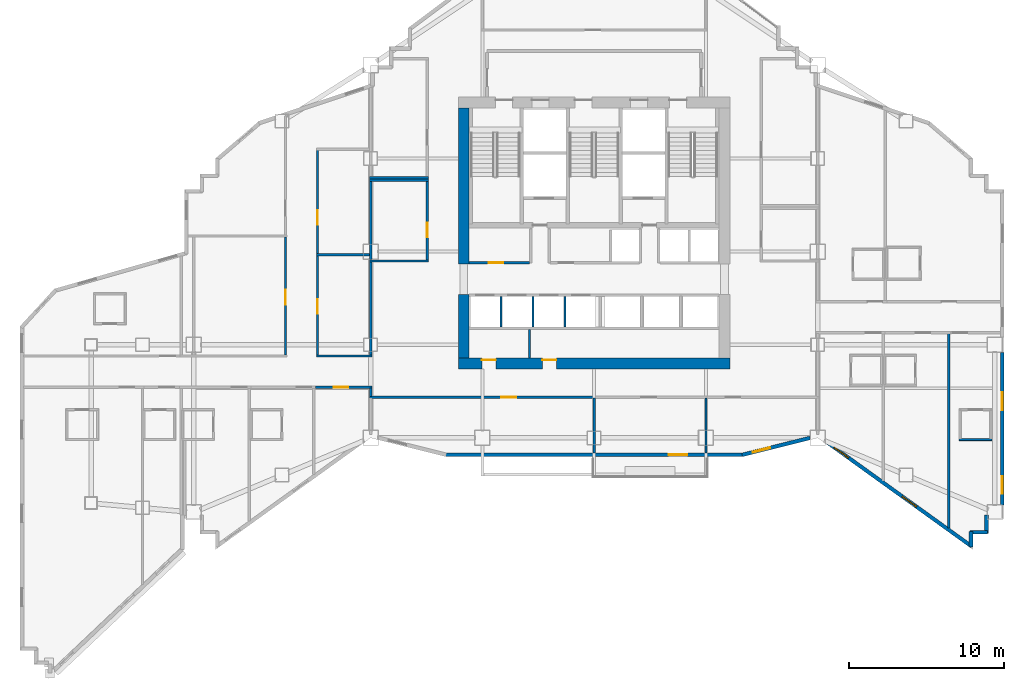
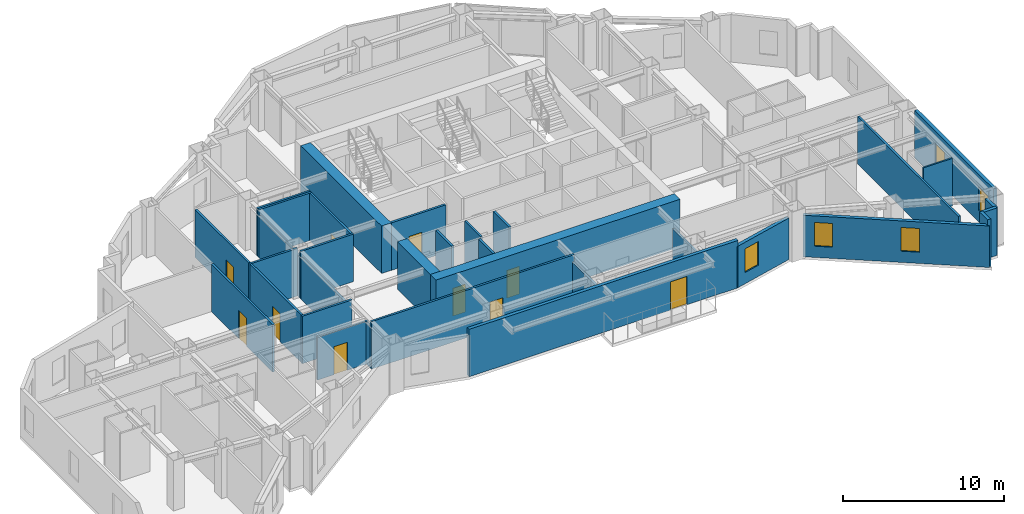
# One storey, part 7 of 13: 33 walls, 10 doors, 5 windows, 15 openings.
"""IFC4 building model written with IfcOpenShell, lengths in metres."""

from ifc_helpers import new_model, si_unit, direction, frame, frame_2d, origin, place, context, subcontext, project, spatial, rectangle, extrude, material, layer, layer_set, type_object, element, fill, save


model = new_model("IFC4")

# Units and contexts
model_context = context("Model", 3, precision=1e-05, world=origin(), true_north=direction((0.0, 1.0)))
body_context = subcontext(model_context, "Body", "Model", "MODEL_VIEW")
ifc_project = project(units=[si_unit("LENGTHUNIT", "METRE"), si_unit("AREAUNIT", "SQUARE_METRE"), si_unit("VOLUMEUNIT", "CUBIC_METRE"), si_unit("PLANEANGLEUNIT", "RADIAN"), si_unit("MASSUNIT", "GRAM", prefix="KILO")], contexts=[model_context])

# Site, building, storey
site_placement = place(None, origin())
site = spatial("IfcSite", under=ifc_project, at=site_placement, CompositionType="ELEMENT")
building_placement = place(site_placement, origin())
building = spatial("IfcBuilding", under=site, at=building_placement, Name="Haolan Belvedere Tower", CompositionType="ELEMENT")
storey_placement = place(building_placement, frame((0.0, 0.0, 128.800048828125)))
storey = spatial("IfcBuildingStorey", under=building, at=storey_placement, Name="L32", CompositionType="ELEMENT", Elevation=128.800048828125)

# Wall, openings, doors
ifc_material_1 = material(Name="Concrete C60/75", Category="concrete")
ifc_layer_1 = layer(ifc_material_1, 0.699951171875, Name="Concrete C60/75")
ifc_layer_set_1 = layer_set([ifc_layer_1], Name="Concrete C60/75")
wall_type_1 = type_object("IfcWallType", Name="WL-CORE-700", PredefinedType="SHEAR", material=ifc_layer_set_1)
wall_1_placement = place(storey_placement, frame((29.64990234375, 26.39990234375, 0.0), z_axis=(0.0, 0.0, 1.0), x_axis=(1.0, 0.0, 0.0)))
wall_1 = element("IfcWall", 1, at=wall_1_placement, inside=storey, type_object=wall_type_1, Name="L32 central core south shear wall", PredefinedType="SHEAR", context=body_context, shape_type="SweptSolid", body=[
    extrude(rectangle(XDim=17.5, YDim=0.699951171875, at=frame_2d((8.75, 0.0))), origin(), (0.0, 0.0, 1.0), 3.599853515625),
])
opening_1_placement = place(wall_1_placement, frame((2.419921875, 0.0, 0.0), z_axis=(0.0, 0.0, 1.0), x_axis=(-1.0, 0.0, 0.0)))
opening_1 = element("IfcOpeningElement", 2, at=opening_1_placement, cuts=wall_1, Name="Opening FD-05", PredefinedType="OPENING", context=body_context, shape_type="SweptSolid", body=[
    extrude(rectangle(XDim=0.89990234375, YDim=2.10009765625, at=frame_2d((0.449951171875, 1.050048828125))), frame((0.0, 0.35986328125, 0.0), z_axis=(0.0, -1.0, 0.0), x_axis=(1.0, 0.0, 0.0)), (0.0, 0.0, 1.0), 0.719970703125),
])
opening_2_placement = place(wall_1_placement, frame((6.309814453125, 0.0, 0.0), z_axis=(0.0, 0.0, 1.0), x_axis=(-1.0, 0.0, 0.0)))
opening_2 = element("IfcOpeningElement", 3, at=opening_2_placement, cuts=wall_1, Name="Opening FD-05", PredefinedType="OPENING", context=body_context, shape_type="SweptSolid", body=[
    extrude(rectangle(XDim=0.89990234375, YDim=2.10009765625, at=frame_2d((0.449951171875, 1.050048828125))), frame((0.0, 0.35986328125, 0.0), z_axis=(0.0, -1.0, 0.0), x_axis=(1.0, 0.0, 0.0)), (0.0, 0.0, 1.0), 0.719970703125),
])
ifc_material_2 = material(Name="Galvanised fire-rated steel", Category="steel")
door_type_1 = type_object("IfcDoorType", Name="DR-FD60-900", OperationType="NOTDEFINED", PredefinedType="DOOR", material=ifc_material_2)
door_1_placement = place(opening_1_placement, origin())
door_1 = element("IfcDoor", 4, at=door_1_placement, inside=storey, type_object=door_type_1, Name="L32 door CD-L32-SCV-1", OperationType="SINGLE_SWING_LEFT", OverallHeight=2.10009765625, OverallWidth=0.89990234375, PredefinedType="DOOR", context=body_context, shape_type="SweptSolid", body=[
    extrude(rectangle(XDim=0.89990234375, YDim=2.10009765625, at=frame_2d((0.449951171875, 1.050048828125))), frame((0.0, -0.19482421875, 0.0), z_axis=(0.0, -1.0, 0.0), x_axis=(1.0, 0.0, 0.0)), (0.0, 0.0, 1.0), 0.050048828125),
])
fill(opening_1, door_1)
door_2_placement = place(opening_2_placement, origin())
door_2 = element("IfcDoor", 5, at=door_2_placement, inside=storey, type_object=door_type_1, Name="L32 door CD-L32-SCV-2", OperationType="SINGLE_SWING_RIGHT", OverallHeight=2.10009765625, OverallWidth=0.89990234375, PredefinedType="DOOR", context=body_context, shape_type="SweptSolid", body=[
    extrude(rectangle(XDim=0.89990234375, YDim=2.10009765625, at=frame_2d((0.449951171875, 1.050048828125))), frame((0.0, -0.19482421875, 0.0), z_axis=(0.0, -1.0, 0.0), x_axis=(1.0, 0.0, 0.0)), (0.0, 0.0, 1.0), 0.050048828125),
])
fill(opening_2, door_2)

# Walls
wall_2_placement = place(storey_placement, frame((30.0, 26.75, 0.0), z_axis=(0.0, 0.0, 1.0), x_axis=(0.0, 1.0, 0.0)))
element("IfcWall", 6, at=wall_2_placement, inside=storey, type_object=wall_type_1, Name="L32 central core shear wall WS", PredefinedType="SHEAR", context=body_context, shape_type="SweptSolid", body=[
    extrude(rectangle(XDim=4.10009765625, YDim=0.699951171875, at=frame_2d((2.050048828125, 0.0))), origin(), (0.0, 0.0, 1.0), 3.599853515625),
])
wall_3_placement = place(storey_placement, frame((30.0, 32.800048828125, 0.0), z_axis=(0.0, 0.0, 1.0), x_axis=(0.0, 1.0, 0.0)))
element("IfcWall", 7, at=wall_3_placement, inside=storey, type_object=wall_type_1, Name="L32 central core shear wall WN", PredefinedType="SHEAR", context=body_context, shape_type="SweptSolid", body=[
    extrude(rectangle(XDim=10.050048828125, YDim=0.699951171875, at=frame_2d((5.02490234375, 0.0))), origin(), (0.0, 0.0, 1.0), 3.599853515625),
])

# Wall, opening, door
ifc_material_3 = material(Name="Precast concrete C40/50", Category="concrete")
ifc_layer_2 = layer(ifc_material_3, 0.239990234375, Name="Precast concrete C40/50")
ifc_layer_set_2 = layer_set([ifc_layer_2], Name="Precast concrete C40/50")
wall_type_2 = type_object("IfcWallType", Name="WL-EXT-240", PredefinedType="SOLIDWALL", material=ifc_layer_set_2)
wall_4_placement = place(storey_placement, frame((28.759765625, 20.52001953125, 0.0), z_axis=(0.0, 0.0, 1.0), x_axis=(1.0, 0.0, 0.0)))
wall_4 = element("IfcWall", 8, at=wall_4_placement, inside=storey, type_object=wall_type_2, Name="L32 pale-metal exterior spandrel wall 7.1", PredefinedType="SOLIDWALL", context=body_context, shape_type="SweptSolid", body=[
    extrude(rectangle(XDim=19.280517578125, YDim=0.239990234375, at=frame_2d((9.64013671875, 0.0))), origin(), (0.0, 0.0, 1.0), 3.599853515625),
])
opening_3_placement = place(wall_4_placement, frame((15.64013671875, 0.0, 0.0), z_axis=(0.0, 0.0, 1.0), x_axis=(-1.0, 0.0, 0.0)))
opening_3 = element("IfcOpeningElement", 9, at=opening_3_placement, cuts=wall_4, Name="Opening BD-01", PredefinedType="OPENING", context=body_context, shape_type="SweptSolid", body=[
    extrude(rectangle(XDim=1.199951171875, YDim=2.14990234375, at=frame_2d((0.60009765625, 1.074951171875))), frame((0.0, 0.1298828125, 0.0), z_axis=(0.0, -1.0, 0.0), x_axis=(1.0, 0.0, 0.0)), (0.0, 0.0, 1.0), 0.260009765625),
])
ifc_material_4 = material(Name="Thermally broken pale-metal aluminium and Low-E glass", Category="aluminium")
door_type_2 = type_object("IfcDoorType", Name="DR-BAL-1200", OperationType="NOTDEFINED", PredefinedType="DOOR", material=ifc_material_4)
door_3_placement = place(opening_3_placement, origin())
door_3 = element("IfcDoor", 10, at=door_3_placement, inside=storey, type_object=door_type_2, Name="L32 tree-balcony access door 1", OperationType="SINGLE_SWING_RIGHT", OverallHeight=2.14990234375, OverallWidth=1.199951171875, PredefinedType="DOOR", context=body_context, shape_type="SweptSolid", body=[
    extrude(rectangle(XDim=1.199951171875, YDim=2.14990234375, at=frame_2d((0.60009765625, 1.074951171875))), frame((0.0, 0.02490234375, 0.0), z_axis=(0.0, -1.0, 0.0), x_axis=(1.0, 0.0, 0.0)), (0.0, 0.0, 1.0), 0.050048828125),
])
fill(opening_3, door_3)

# Wall, opening, window
wall_5_placement = place(storey_placement, frame((47.931884765625, 20.506591796875, 0.0), z_axis=(0.0, 0.0, 1.0), x_axis=(0.970145683738, 0.242522890311, 0.0)))
wall_5 = element("IfcWall", 11, at=wall_5_placement, inside=storey, type_object=wall_type_2, Name="L32 pale-metal exterior spandrel wall 8.1", PredefinedType="SOLIDWALL", context=body_context, shape_type="SweptSolid", body=[
    extrude(rectangle(XDim=4.510986328125, YDim=0.239990234375, at=frame_2d((2.25537109375, 0.0))), origin(), (0.0, 0.0, 1.0), 3.14501953125),
])
opening_4_placement = place(wall_5_placement, frame((0.699951171875, 0.0, 0.85009765625)))
opening_4 = element("IfcOpeningElement", 12, at=opening_4_placement, cuts=wall_5, Name="Opening W-02", PredefinedType="OPENING", context=body_context, shape_type="SweptSolid", body=[
    extrude(rectangle(XDim=1.14990234375, YDim=1.800048828125, at=frame_2d((0.574951171875, 0.89990234375))), frame((0.0, 0.1298828125, 0.0), z_axis=(0.0, -1.0, 0.0), x_axis=(1.0, 0.0, 0.0)), (0.0, 0.0, 1.0), 0.260009765625),
])
ifc_material_5 = material(Name="Anodised aluminium 6063-T6 and Low-E glass", Category="aluminium")
window_type = type_object("IfcWindowType", Name="WN-DECO-Z2", PartitioningType="SINGLE_PANEL", PredefinedType="WINDOW", material=ifc_material_5)
window_1_placement = place(opening_4_placement, origin())
window_1 = element("IfcWindow", 13, at=window_1_placement, inside=storey, type_object=window_type, Name="L32 Art Deco chevron window 1", OverallHeight=1.800048828125, OverallWidth=1.14990234375, PartitioningType="SINGLE_PANEL", PredefinedType="WINDOW", context=body_context, shape_type="SweptSolid", body=[
    extrude(rectangle(XDim=1.14990234375, YDim=1.800048828125, at=frame_2d((0.574951171875, 0.89990234375))), frame((0.0, 0.030029296875, 0.0), z_axis=(0.0, -1.0, 0.0), x_axis=(1.0, 0.0, 0.0)), (0.0, 0.0, 1.0), 0.06005859375),
])
fill(opening_4, window_1)

# Wall, openings, windows
wall_6_placement = place(storey_placement, frame((53.2919921875, 21.3935546875, 0.0), z_axis=(0.0, 0.0, 1.0), x_axis=(0.811543504691, -0.584291998913, 0.0)))
wall_6 = element("IfcWall", 14, at=wall_6_placement, inside=storey, type_object=wall_type_2, Name="L32 pale-metal exterior spandrel wall 9.1", PredefinedType="SOLIDWALL", context=body_context, shape_type="SweptSolid", body=[
    extrude(rectangle(XDim=11.623046875, YDim=0.239990234375, at=frame_2d((5.8115234375, 0.0))), origin(), (0.0, 0.0, 1.0), 3.14501953125),
])
opening_5_placement = place(wall_6_placement, frame((0.699951171875, 0.0, 0.85009765625)))
opening_5 = element("IfcOpeningElement", 15, at=opening_5_placement, cuts=wall_6, Name="Opening W-02", PredefinedType="OPENING", context=body_context, shape_type="SweptSolid", body=[
    extrude(rectangle(XDim=1.14990234375, YDim=1.800048828125, at=frame_2d((0.574951171875, 0.89990234375))), frame((0.0, 0.1298828125, 0.0), z_axis=(0.0, -1.0, 0.0), x_axis=(1.0, 0.0, 0.0)), (0.0, 0.0, 1.0), 0.260009765625),
])
opening_6_placement = place(wall_6_placement, frame((6.10009765625, 0.0, 0.85009765625)))
opening_6 = element("IfcOpeningElement", 16, at=opening_6_placement, cuts=wall_6, Name="Opening W-02", PredefinedType="OPENING", context=body_context, shape_type="SweptSolid", body=[
    extrude(rectangle(XDim=1.14990234375, YDim=1.800048828125, at=frame_2d((0.574951171875, 0.89990234375))), frame((0.0, 0.1298828125, 0.0), z_axis=(0.0, -1.0, 0.0), x_axis=(1.0, 0.0, 0.0)), (0.0, 0.0, 1.0), 0.260009765625),
])
window_2_placement = place(opening_5_placement, origin())
window_2 = element("IfcWindow", 17, at=window_2_placement, inside=storey, type_object=window_type, Name="L32 Art Deco chevron window 1", OverallHeight=1.800048828125, OverallWidth=1.14990234375, PartitioningType="SINGLE_PANEL", PredefinedType="WINDOW", context=body_context, shape_type="SweptSolid", body=[
    extrude(rectangle(XDim=1.14990234375, YDim=1.800048828125, at=frame_2d((0.574951171875, 0.89990234375))), frame((0.0, 0.030029296875, 0.0), z_axis=(0.0, -1.0, 0.0), x_axis=(1.0, 0.0, 0.0)), (0.0, 0.0, 1.0), 0.06005859375),
])
fill(opening_5, window_2)
window_3_placement = place(opening_6_placement, origin())
window_3 = element("IfcWindow", 18, at=window_3_placement, inside=storey, type_object=window_type, Name="L32 Art Deco chevron window 2", OverallHeight=1.800048828125, OverallWidth=1.14990234375, PartitioningType="SINGLE_PANEL", PredefinedType="WINDOW", context=body_context, shape_type="SweptSolid", body=[
    extrude(rectangle(XDim=1.14990234375, YDim=1.800048828125, at=frame_2d((0.574951171875, 0.89990234375))), frame((0.0, 0.030029296875, 0.0), z_axis=(0.0, -1.0, 0.0), x_axis=(1.0, 0.0, 0.0)), (0.0, 0.0, 1.0), 0.06005859375),
])
fill(opening_6, window_3)

# Walls
wall_7_placement = place(storey_placement, frame((62.679931640625, 14.579345703125, 0.0), z_axis=(0.0, 0.0, 1.0), x_axis=(0.0, 1.0, 0.0)))
element("IfcWall", 19, at=wall_7_placement, inside=storey, type_object=wall_type_2, Name="L32 pale-metal exterior spandrel wall 10.1", PredefinedType="SOLIDWALL", context=body_context, shape_type="SweptSolid", body=[
    extrude(rectangle(XDim=0.99560546875, YDim=0.239990234375, at=frame_2d((0.497802734375, 0.0))), origin(), (0.0, 0.0, 1.0), 3.599853515625),
])
wall_8_placement = place(storey_placement, frame((62.625, 15.52001953125, 0.0), z_axis=(0.0, 0.0, 1.0), x_axis=(1.0, 0.0, 0.0)))
element("IfcWall", 20, at=wall_8_placement, inside=storey, type_object=wall_type_2, Name="L32 pale-metal exterior spandrel wall 11.1", PredefinedType="SOLIDWALL", context=body_context, shape_type="SweptSolid", body=[
    extrude(rectangle(XDim=1.110107421875, YDim=0.239990234375, at=frame_2d((0.55517578125, 0.0))), origin(), (0.0, 0.0, 1.0), 3.599853515625),
])
wall_9_placement = place(storey_placement, frame((63.679931640625, 15.465087890625, 0.0), z_axis=(0.0, 0.0, 1.0), x_axis=(0.0, 1.0, 0.0)))
element("IfcWall", 21, at=wall_9_placement, inside=storey, type_object=wall_type_2, Name="L32 pale-metal exterior spandrel wall 12.1", PredefinedType="SOLIDWALL", context=body_context, shape_type="SweptSolid", body=[
    extrude(rectangle(XDim=1.1748046875, YDim=0.239990234375, at=frame_2d((0.58740234375, 0.0))), origin(), (0.0, 0.0, 1.0), 3.599853515625),
])

# Wall, openings, windows
wall_10_placement = place(storey_placement, frame((64.679931640625, 17.2919921875, 0.0), z_axis=(0.0, 0.0, 1.0), x_axis=(0.0, 1.0, 0.0)))
wall_10 = element("IfcWall", 22, at=wall_10_placement, inside=storey, type_object=wall_type_2, Name="L32 pale-metal exterior spandrel wall 14.1", PredefinedType="SOLIDWALL", context=body_context, shape_type="SweptSolid", body=[
    extrude(rectangle(XDim=9.81591796875, YDim=0.239990234375, at=frame_2d((4.907958984375, 0.0))), origin(), (0.0, 0.0, 1.0), 3.599853515625),
])
opening_7_placement = place(wall_10_placement, frame((0.699951171875, 0.0, 0.85009765625)))
opening_7 = element("IfcOpeningElement", 23, at=opening_7_placement, cuts=wall_10, Name="Opening W-02", PredefinedType="OPENING", context=body_context, shape_type="SweptSolid", body=[
    extrude(rectangle(XDim=1.14990234375, YDim=1.800048828125, at=frame_2d((0.574951171875, 0.89990234375))), frame((0.0, 0.1298828125, 0.0), z_axis=(0.0, -1.0, 0.0), x_axis=(1.0, 0.0, 0.0)), (0.0, 0.0, 1.0), 0.260009765625),
])
opening_8_placement = place(wall_10_placement, frame((6.10009765625, 0.0, 0.85009765625)))
opening_8 = element("IfcOpeningElement", 24, at=opening_8_placement, cuts=wall_10, Name="Opening W-02", PredefinedType="OPENING", context=body_context, shape_type="SweptSolid", body=[
    extrude(rectangle(XDim=1.14990234375, YDim=1.800048828125, at=frame_2d((0.574951171875, 0.89990234375))), frame((0.0, 0.1298828125, 0.0), z_axis=(0.0, -1.0, 0.0), x_axis=(1.0, 0.0, 0.0)), (0.0, 0.0, 1.0), 0.260009765625),
])
window_4_placement = place(opening_7_placement, origin())
window_4 = element("IfcWindow", 25, at=window_4_placement, inside=storey, type_object=window_type, Name="L32 Art Deco chevron window 1", OverallHeight=1.800048828125, OverallWidth=1.14990234375, PartitioningType="SINGLE_PANEL", PredefinedType="WINDOW", context=body_context, shape_type="SweptSolid", body=[
    extrude(rectangle(XDim=1.14990234375, YDim=1.800048828125, at=frame_2d((0.574951171875, 0.89990234375))), frame((0.0, 0.030029296875, 0.0), z_axis=(0.0, -1.0, 0.0), x_axis=(1.0, 0.0, 0.0)), (0.0, 0.0, 1.0), 0.06005859375),
])
fill(opening_7, window_4)
window_5_placement = place(opening_8_placement, origin())
window_5 = element("IfcWindow", 26, at=window_5_placement, inside=storey, type_object=window_type, Name="L32 Art Deco chevron window 2", OverallHeight=1.800048828125, OverallWidth=1.14990234375, PartitioningType="SINGLE_PANEL", PredefinedType="WINDOW", context=body_context, shape_type="SweptSolid", body=[
    extrude(rectangle(XDim=1.14990234375, YDim=1.800048828125, at=frame_2d((0.574951171875, 0.89990234375))), frame((0.0, 0.030029296875, 0.0), z_axis=(0.0, -1.0, 0.0), x_axis=(1.0, 0.0, 0.0)), (0.0, 0.0, 1.0), 0.06005859375),
])
fill(opening_8, window_5)

# Walls
ifc_material_6 = material(Name="Double gypsum acoustic stud partition", Category="masonry")
ifc_layer_3 = layer(ifc_material_6, 0.14990234375, Name="Double gypsum acoustic stud partition")
ifc_layer_set_3 = layer_set([ifc_layer_3], Name="Double gypsum acoustic stud partition")
wall_type_3 = type_object("IfcWallType", Name="WL-PART-150", PredefinedType="PARTITIONING", material=ifc_layer_set_3)
wall_11_placement = place(storey_placement, frame((34.22998046875, 26.760009765625, 0.0), z_axis=(0.0, 0.0, 1.0), x_axis=(0.0, 1.0, 0.0)))
element("IfcWall", 27, at=wall_11_placement, inside=storey, type_object=wall_type_3, Name="L32 interior partition IW-L32-SCV-DIV-1", PredefinedType="PARTITIONING", context=body_context, shape_type="SweptSolid", body=[
    extrude(rectangle(XDim=1.820068359375, YDim=0.14990234375, at=frame_2d((0.91015625, 0.0))), origin(), (0.0, 0.0, 1.0), 3.599853515625),
])
for number, where, z_axis, x_axis, name in (
    (28, (23.919921875, 38.199951171875, 0.0), (0.0, 0.0, 1.0), (1.0, 0.0, 0.0), "L32 interior partition IW-L32-HSK-N"),
    (29, (23.919921875, 33.0, 0.0), (0.0, 0.0, 1.0), (1.0, 0.0, 0.0), "L32 interior partition IW-L32-HSK-S"),
):
    element("IfcWall", number, at=place(storey_placement, frame(where, z_axis=z_axis, x_axis=x_axis)), inside=storey, type_object=wall_type_3, Name=name, PredefinedType="PARTITIONING", context=body_context, shape_type="SweptSolid", body=[
        extrude(rectangle(XDim=3.800048828125, YDim=0.14990234375, at=frame_2d((1.89990234375, 0.0))), origin(), (0.0, 0.0, 1.0), 3.599853515625),
    ])
wall_12_placement = place(storey_placement, frame((24.0, 33.06005859375, 0.0), z_axis=(0.0, 0.0, 1.0), x_axis=(0.0, 1.0, 0.0)))
element("IfcWall", 30, at=wall_12_placement, inside=storey, type_object=wall_type_3, Name="L32 interior partition IW-L32-HSK-W", PredefinedType="PARTITIONING", context=body_context, shape_type="SweptSolid", body=[
    extrude(rectangle(XDim=5.079833984375, YDim=0.14990234375, at=frame_2d((2.5400390625, 0.0))), origin(), (0.0, 0.0, 1.0), 3.14501953125),
])

# Wall, opening, door
wall_13_placement = place(storey_placement, frame((27.639892578125, 33.06005859375, 0.0), z_axis=(0.0, 0.0, 1.0), x_axis=(0.0, 1.0, 0.0)))
wall_13 = element("IfcWall", 31, at=wall_13_placement, inside=storey, type_object=wall_type_3, Name="L32 interior partition IW-L32-HSK-E", PredefinedType="PARTITIONING", context=body_context, shape_type="SweptSolid", body=[
    extrude(rectangle(XDim=5.079833984375, YDim=0.14990234375, at=frame_2d((2.5400390625, 0.0))), origin(), (0.0, 0.0, 1.0), 3.599853515625),
])
opening_9_placement = place(wall_13_placement, frame((2.409912109375, 0.0, 0.0), z_axis=(0.0, 0.0, 1.0), x_axis=(-1.0, 0.0, 0.0)))
opening_9 = element("IfcOpeningElement", 32, at=opening_9_placement, cuts=wall_13, Name="Opening ID-03", PredefinedType="OPENING", context=body_context, shape_type="SweptSolid", body=[
    extrude(rectangle(XDim=0.949951171875, YDim=2.1201171875, at=frame_2d((0.47509765625, 1.06005859375))), frame((0.0, 0.0849609375, 0.0), z_axis=(0.0, -1.0, 0.0), x_axis=(1.0, 0.0, 0.0)), (0.0, 0.0, 1.0), 0.169921875),
])
ifc_material_7 = material(Name="Painted solid-core timber", Category="wood")
door_type_3 = type_object("IfcDoorType", Name="DR-INT-950", OperationType="NOTDEFINED", PredefinedType="DOOR", material=ifc_material_7)
door_4_placement = place(opening_9_placement, origin())
door_4 = element("IfcDoor", 33, at=door_4_placement, inside=storey, type_object=door_type_3, Name="L32 door ID-L32-HSK", OperationType="SINGLE_SWING_LEFT", OverallHeight=2.1201171875, OverallWidth=0.949951171875, PredefinedType="DOOR", context=body_context, shape_type="SweptSolid", body=[
    extrude(rectangle(XDim=0.949951171875, YDim=2.1201171875, at=frame_2d((0.47509765625, 1.06005859375))), frame((0.0, 0.02490234375, 0.0), z_axis=(0.0, -1.0, 0.0), x_axis=(1.0, 0.0, 0.0)), (0.0, 0.0, 1.0), 0.050048828125),
])
fill(opening_9, door_4)

# Wall
wall_14_placement = place(storey_placement, frame((23.919921875, 38.360107421875, 0.0), z_axis=(0.0, 0.0, 1.0), x_axis=(1.0, 0.0, 0.0)))
element("IfcWall", 34, at=wall_14_placement, inside=storey, type_object=wall_type_3, Name="L32 interior partition IW-L32-VLT-S", PredefinedType="PARTITIONING", context=body_context, shape_type="SweptSolid", body=[
    extrude(rectangle(XDim=3.800048828125, YDim=0.14990234375, at=frame_2d((1.89990234375, 0.0))), origin(), (0.0, 0.0, 1.0), 3.599853515625),
])

# Wall, opening, door
wall_15_placement = place(storey_placement, frame((23.919921875, 24.219970703125, 0.0), z_axis=(0.0, 0.0, 1.0), x_axis=(1.0, 0.0, 0.0)))
wall_15 = element("IfcWall", 35, at=wall_15_placement, inside=storey, type_object=wall_type_3, Name="L32 interior partition IW-L32-KS1-N", PredefinedType="PARTITIONING", context=body_context, shape_type="SweptSolid", body=[
    extrude(rectangle(XDim=14.56005859375, YDim=0.14990234375, at=frame_2d((7.280029296875, 0.0))), origin(), (0.0, 0.0, 1.0), 3.599853515625),
])
opening_10_placement = place(wall_15_placement, frame((9.445068359375, 0.0, 0.0), z_axis=(0.0, 0.0, 1.0), x_axis=(-1.0, 0.0, 0.0)))
opening_10 = element("IfcOpeningElement", 36, at=opening_10_placement, cuts=wall_15, Name="Opening ID-03", PredefinedType="OPENING", context=body_context, shape_type="SweptSolid", body=[
    extrude(rectangle(XDim=0.949951171875, YDim=2.1201171875, at=frame_2d((0.47509765625, 1.06005859375))), frame((0.0, 0.0849609375, 0.0), z_axis=(0.0, -1.0, 0.0), x_axis=(1.0, 0.0, 0.0)), (0.0, 0.0, 1.0), 0.169921875),
])
door_5_placement = place(opening_10_placement, origin())
door_5 = element("IfcDoor", 37, at=door_5_placement, inside=storey, type_object=door_type_3, Name="L32 door ID-L32-KS1", OperationType="SINGLE_SWING_RIGHT", OverallHeight=2.1201171875, OverallWidth=0.949951171875, PredefinedType="DOOR", context=body_context, shape_type="SweptSolid", body=[
    extrude(rectangle(XDim=0.949951171875, YDim=2.1201171875, at=frame_2d((0.47509765625, 1.06005859375))), frame((0.0, 0.02490234375, 0.0), z_axis=(0.0, -1.0, 0.0), x_axis=(1.0, 0.0, 0.0)), (0.0, 0.0, 1.0), 0.050048828125),
])
fill(opening_10, door_5)

# Walls
for number, where, z_axis, x_axis, name in (
    (38, (38.39990234375, 20.625, 0.0), (0.0, 0.0, 1.0), (0.0, 1.0, 0.0), "L32 interior partition IW-L32-KS1-E"),
    (39, (45.60009765625, 20.625, 0.0), (0.0, 0.0, 1.0), (0.0, 1.0, 0.0), "L32 interior partition IW-L32-KS2-E"),
):
    element("IfcWall", number, at=place(storey_placement, frame(where, z_axis=z_axis, x_axis=x_axis)), inside=storey, type_object=wall_type_3, Name=name, PredefinedType="PARTITIONING", context=body_context, shape_type="SweptSolid", body=[
        extrude(rectangle(XDim=3.534912109375, YDim=0.14990234375, at=frame_2d((1.767578125, 0.0))), origin(), (0.0, 0.0, 1.0), 3.0849609375),
    ])

# Wall, opening, door
wall_16_placement = place(storey_placement, frame((18.52001953125, 26.93994140625, 0.0), z_axis=(0.0, 0.0, 1.0), x_axis=(0.0, 1.0, 0.0)))
wall_16 = element("IfcWall", 40, at=wall_16_placement, inside=storey, type_object=wall_type_3, Name="L32 interior partition IW-L32-T2W1-E", PredefinedType="PARTITIONING", context=body_context, shape_type="SweptSolid", body=[
    extrude(rectangle(XDim=7.60009765625, YDim=0.14990234375, at=frame_2d((3.800048828125, 0.0))), origin(), (0.0, 0.0, 1.0), 3.599853515625),
])
opening_11_placement = place(wall_16_placement, frame((4.195068359375, 0.0, 0.0), z_axis=(0.0, 0.0, 1.0), x_axis=(-1.0, 0.0, 0.0)))
opening_11 = element("IfcOpeningElement", 41, at=opening_11_placement, cuts=wall_16, Name="Opening ID-03", PredefinedType="OPENING", context=body_context, shape_type="SweptSolid", body=[
    extrude(rectangle(XDim=0.949951171875, YDim=2.1201171875, at=frame_2d((0.47509765625, 1.06005859375))), frame((0.0, 0.0849609375, 0.0), z_axis=(0.0, -1.0, 0.0), x_axis=(1.0, 0.0, 0.0)), (0.0, 0.0, 1.0), 0.169921875),
])
door_6_placement = place(opening_11_placement, origin())
door_6 = element("IfcDoor", 42, at=door_6_placement, inside=storey, type_object=door_type_3, Name="L32 door ID-L32-T2W1", OperationType="SINGLE_SWING_RIGHT", OverallHeight=2.1201171875, OverallWidth=0.949951171875, PredefinedType="DOOR", context=body_context, shape_type="SweptSolid", body=[
    extrude(rectangle(XDim=0.949951171875, YDim=2.1201171875, at=frame_2d((0.47509765625, 1.06005859375))), frame((0.0, 0.02490234375, 0.0), z_axis=(0.0, -1.0, 0.0), x_axis=(1.0, 0.0, 0.0)), (0.0, 0.0, 1.0), 0.050048828125),
])
fill(opening_11, door_6)

# Walls
wall_17_placement = place(storey_placement, frame((20.5, 33.39990234375, 0.0), z_axis=(0.0, 0.0, 1.0), x_axis=(1.0, 0.0, 0.0)))
element("IfcWall", 43, at=wall_17_placement, inside=storey, type_object=wall_type_3, Name="L32 interior partition IW-L32-T2E1-N", PredefinedType="PARTITIONING", context=body_context, shape_type="SweptSolid", body=[
    extrude(rectangle(XDim=3.43994140625, YDim=0.14990234375, at=frame_2d((1.719970703125, 0.0))), origin(), (0.0, 0.0, 1.0), 3.599853515625),
])
wall_18_placement = place(storey_placement, frame((20.5, 26.8798828125, 0.0), z_axis=(0.0, 0.0, 1.0), x_axis=(1.0, 0.0, 0.0)))
element("IfcWall", 44, at=wall_18_placement, inside=storey, type_object=wall_type_3, Name="L32 interior partition IW-L32-T2E1-S", PredefinedType="PARTITIONING", context=body_context, shape_type="SweptSolid", body=[
    extrude(rectangle(XDim=3.580078125, YDim=0.14990234375, at=frame_2d((1.7900390625, 0.0))), origin(), (0.0, 0.0, 1.0), 3.599853515625),
])

# Wall, opening, door
wall_19_placement = place(storey_placement, frame((20.580078125, 26.93994140625, 0.0), z_axis=(0.0, 0.0, 1.0), x_axis=(0.0, 1.0, 0.0)))
wall_19 = element("IfcWall", 45, at=wall_19_placement, inside=storey, type_object=wall_type_3, Name="L32 interior partition IW-L32-T2E1-W", PredefinedType="PARTITIONING", context=body_context, shape_type="SweptSolid", body=[
    extrude(rectangle(XDim=6.400146484375, YDim=0.14990234375, at=frame_2d((3.2001953125, 0.0))), origin(), (0.0, 0.0, 1.0), 3.599853515625),
])
opening_12_placement = place(wall_19_placement, frame((2.64501953125, 0.0, 0.0)))
opening_12 = element("IfcOpeningElement", 46, at=opening_12_placement, cuts=wall_19, Name="Opening ID-03", PredefinedType="OPENING", context=body_context, shape_type="SweptSolid", body=[
    extrude(rectangle(XDim=0.949951171875, YDim=2.1201171875, at=frame_2d((0.47509765625, 1.06005859375))), frame((0.0, 0.0849609375, 0.0), z_axis=(0.0, -1.0, 0.0), x_axis=(1.0, 0.0, 0.0)), (0.0, 0.0, 1.0), 0.169921875),
])
door_7_placement = place(opening_12_placement, origin())
door_7 = element("IfcDoor", 47, at=door_7_placement, inside=storey, type_object=door_type_3, Name="L32 door ID-L32-T2E1", OperationType="SINGLE_SWING_RIGHT", OverallHeight=2.1201171875, OverallWidth=0.949951171875, PredefinedType="DOOR", context=body_context, shape_type="SweptSolid", body=[
    extrude(rectangle(XDim=0.949951171875, YDim=2.1201171875, at=frame_2d((0.47509765625, 1.06005859375))), frame((0.0, 0.02490234375, 0.0), z_axis=(0.0, -1.0, 0.0), x_axis=(1.0, 0.0, 0.0)), (0.0, 0.0, 1.0), 0.050048828125),
])
fill(opening_12, door_7)

# Wall
wall_20_placement = place(storey_placement, frame((24.0, 26.93994140625, 0.0), z_axis=(0.0, 0.0, 1.0), x_axis=(0.0, 1.0, 0.0)))
element("IfcWall", 48, at=wall_20_placement, inside=storey, type_object=wall_type_3, Name="L32 interior partition IW-L32-T2E1-E", PredefinedType="PARTITIONING", context=body_context, shape_type="SweptSolid", body=[
    extrude(rectangle(XDim=6.0, YDim=0.14990234375, at=frame_2d((3.0, 0.0))), origin(), (0.0, 0.0, 1.0), 3.14501953125),
])

# Wall, opening, door
wall_21_placement = place(storey_placement, frame((20.580078125, 33.4599609375, 0.0), z_axis=(0.0, 0.0, 1.0), x_axis=(0.0, 1.0, 0.0)))
wall_21 = element("IfcWall", 49, at=wall_21_placement, inside=storey, type_object=wall_type_3, Name="L32 interior partition IW-L32-T2E2-W", PredefinedType="PARTITIONING", context=body_context, shape_type="SweptSolid", body=[
    extrude(rectangle(XDim=6.679931640625, YDim=0.14990234375, at=frame_2d((3.33984375, 0.0))), origin(), (0.0, 0.0, 1.0), 3.599853515625),
])
opening_13_placement = place(wall_21_placement, frame((1.864990234375, 0.0, 0.0)))
opening_13 = element("IfcOpeningElement", 50, at=opening_13_placement, cuts=wall_21, Name="Opening ID-03", PredefinedType="OPENING", context=body_context, shape_type="SweptSolid", body=[
    extrude(rectangle(XDim=0.949951171875, YDim=2.1201171875, at=frame_2d((0.47509765625, 1.06005859375))), frame((0.0, 0.0849609375, 0.0), z_axis=(0.0, -1.0, 0.0), x_axis=(1.0, 0.0, 0.0)), (0.0, 0.0, 1.0), 0.169921875),
])
door_8_placement = place(opening_13_placement, origin())
door_8 = element("IfcDoor", 51, at=door_8_placement, inside=storey, type_object=door_type_3, Name="L32 door ID-L32-T2E2", OperationType="SINGLE_SWING_LEFT", OverallHeight=2.1201171875, OverallWidth=0.949951171875, PredefinedType="DOOR", context=body_context, shape_type="SweptSolid", body=[
    extrude(rectangle(XDim=0.949951171875, YDim=2.1201171875, at=frame_2d((0.47509765625, 1.06005859375))), frame((0.0, 0.02490234375, 0.0), z_axis=(0.0, -1.0, 0.0), x_axis=(1.0, 0.0, 0.0)), (0.0, 0.0, 1.0), 0.050048828125),
])
fill(opening_13, door_8)

wall_22_placement = place(storey_placement, frame((20.44189453125, 24.8701171875, 0.0), z_axis=(0.0, 0.0, 1.0), x_axis=(1.0, 0.0, 0.0)))
wall_22 = element("IfcWall", 52, at=wall_22_placement, inside=storey, type_object=wall_type_3, Name="L32 interior partition IW-L32-T2S3-N", PredefinedType="PARTITIONING", context=body_context, shape_type="SweptSolid", body=[
    extrude(rectangle(XDim=3.63818359375, YDim=0.14990234375, at=frame_2d((1.819091796875, 0.0))), origin(), (0.0, 0.0, 1.0), 3.23486328125),
])
opening_14_placement = place(wall_22_placement, frame((2.123046875, 0.0, 0.0), z_axis=(0.0, 0.0, 1.0), x_axis=(-1.0, 0.0, 0.0)))
opening_14 = element("IfcOpeningElement", 53, at=opening_14_placement, cuts=wall_22, Name="Opening ID-03", PredefinedType="OPENING", context=body_context, shape_type="SweptSolid", body=[
    extrude(rectangle(XDim=0.949951171875, YDim=2.1201171875, at=frame_2d((0.47509765625, 1.06005859375))), frame((0.0, 0.0849609375, 0.0), z_axis=(0.0, -1.0, 0.0), x_axis=(1.0, 0.0, 0.0)), (0.0, 0.0, 1.0), 0.169921875),
])
door_9_placement = place(opening_14_placement, origin())
door_9 = element("IfcDoor", 54, at=door_9_placement, inside=storey, type_object=door_type_3, Name="L32 door ID-L32-T2S3", OperationType="SINGLE_SWING_RIGHT", OverallHeight=2.1201171875, OverallWidth=0.949951171875, PredefinedType="DOOR", context=body_context, shape_type="SweptSolid", body=[
    extrude(rectangle(XDim=0.949951171875, YDim=2.1201171875, at=frame_2d((0.47509765625, 1.06005859375))), frame((0.0, 0.02490234375, 0.0), z_axis=(0.0, -1.0, 0.0), x_axis=(1.0, 0.0, 0.0)), (0.0, 0.0, 1.0), 0.050048828125),
])
fill(opening_14, door_9)

# Walls
wall_23_placement = place(storey_placement, frame((24.0, 24.280029296875, 0.0), z_axis=(0.0, 0.0, 1.0), x_axis=(0.0, 1.0, 0.0)))
element("IfcWall", 55, at=wall_23_placement, inside=storey, type_object=wall_type_3, Name="L32 interior partition IW-L32-T2S3-E", PredefinedType="PARTITIONING", context=body_context, shape_type="SweptSolid", body=[
    extrude(rectangle(XDim=0.530029296875, YDim=0.14990234375, at=frame_2d((0.26513671875, 0.0))), origin(), (0.0, 0.0, 1.0), 3.14501953125),
])
wall_24_placement = place(storey_placement, frame((61.25, 15.793212890625, 0.0), z_axis=(0.0, 0.0, 1.0), x_axis=(0.0, 1.0, 0.0)))
element("IfcWall", 56, at=wall_24_placement, inside=storey, type_object=wall_type_3, Name="L32 interior partition IW-L32-T4S2-E", PredefinedType="PARTITIONING", context=body_context, shape_type="SweptSolid", body=[
    extrude(rectangle(XDim=12.516845703125, YDim=0.14990234375, at=frame_2d((6.25830078125, 0.0))), origin(), (0.0, 0.0, 1.0), 3.599853515625),
])

# Wall, opening, door
ifc_material_8 = material(Name="Gypsum fire shaftwall assembly", Category="masonry")
ifc_layer_4 = layer(ifc_material_8, 0.1650390625, Name="Gypsum fire shaftwall assembly")
ifc_layer_set_4 = layer_set([ifc_layer_4], Name="Gypsum fire shaftwall assembly")
wall_type_4 = type_object("IfcWallType", Name="WL-SHAFT-160", PredefinedType="SOLIDWALL", material=ifc_layer_set_4)
wall_25_placement = place(storey_placement, frame((30.35009765625, 32.8798828125, 0.0), z_axis=(0.0, 0.0, 1.0), x_axis=(1.0, 0.0, 0.0)))
wall_25 = element("IfcWall", 57, at=wall_25_placement, inside=storey, type_object=wall_type_4, Name="L32 interior partition IW-L32-ROW-PN1", PredefinedType="SOLIDWALL", context=body_context, shape_type="SweptSolid", body=[
    extrude(rectangle(XDim=3.89990234375, YDim=0.159912109375, at=frame_2d((1.949951171875, 0.0))), origin(), (0.0, 0.0, 1.0), 3.599853515625),
])
opening_15_placement = place(wall_25_placement, frame((2.199951171875, 0.0, 0.0), z_axis=(0.0, 0.0, 1.0), x_axis=(-1.0, 0.0, 0.0)))
opening_15 = element("IfcOpeningElement", 58, at=opening_15_placement, cuts=wall_25, Name="Opening ID-03", PredefinedType="OPENING", context=body_context, shape_type="SweptSolid", body=[
    extrude(rectangle(XDim=0.949951171875, YDim=2.1201171875, at=frame_2d((0.47509765625, 1.06005859375))), frame((0.0, 0.08984375, 0.0), z_axis=(0.0, -1.0, 0.0), x_axis=(1.0, 0.0, 0.0)), (0.0, 0.0, 1.0), 0.179931640625),
])
door_10_placement = place(opening_15_placement, origin())
door_10 = element("IfcDoor", 59, at=door_10_placement, inside=storey, type_object=door_type_3, Name="L32 door ID-L32-CD-RPLW", OperationType="SINGLE_SWING_LEFT", OverallHeight=2.1201171875, OverallWidth=0.949951171875, PredefinedType="DOOR", context=body_context, shape_type="SweptSolid", body=[
    extrude(rectangle(XDim=0.949951171875, YDim=2.1201171875, at=frame_2d((0.47509765625, 1.06005859375))), frame((0.0, 0.02490234375, 0.0), z_axis=(0.0, -1.0, 0.0), x_axis=(1.0, 0.0, 0.0)), (0.0, 0.0, 1.0), 0.050048828125),
])
fill(opening_15, door_10)

# Walls
for number, where, z_axis, x_axis, name in (
    (60, (32.39990234375, 28.735107421875, 0.0), (0.0, 0.0, 1.0), (0.0, 1.0, 0.0), "L32 interior partition IW-L32-DIV-PM1"),
    (61, (34.4599609375, 28.735107421875, 0.0), (0.0, 0.0, 1.0), (0.0, 1.0, 0.0), "L32 interior partition IW-L32-DIV-PM2"),
    (62, (36.52001953125, 28.735107421875, 0.0), (0.0, 0.0, 1.0), (0.0, 1.0, 0.0), "L32 interior partition IW-L32-DIV-PM3"),
):
    element("IfcWall", number, at=place(storey_placement, frame(where, z_axis=z_axis, x_axis=x_axis)), inside=storey, type_object=wall_type_4, Name=name, PredefinedType="SOLIDWALL", context=body_context, shape_type="SweptSolid", body=[
        extrude(rectangle(XDim=1.98486328125, YDim=0.14990234375, at=frame_2d((0.992431640625, 0.0))), origin(), (0.0, 0.0, 1.0), 3.599853515625),
    ])
ifc_material_9 = material(Name="Moisture-resistant gypsum tile partition", Category="masonry")
ifc_layer_5 = layer(ifc_material_9, 0.1201171875, Name="Moisture-resistant gypsum tile partition")
ifc_layer_set_5 = layer_set([ifc_layer_5], Name="Moisture-resistant gypsum tile partition")
wall_type_5 = type_object("IfcWallType", Name="WL-WET-120", PredefinedType="PARTITIONING", material=ifc_layer_set_5)
wall_26_placement = place(storey_placement, frame((61.9169921875, 21.489990234375, 0.0), z_axis=(0.0, 0.0, 1.0), x_axis=(1.0, 0.0, 0.0)))
element("IfcWall", 63, at=wall_26_placement, inside=storey, type_object=wall_type_5, Name="L32 interior partition IW-L32-T4S3-BS", PredefinedType="PARTITIONING", context=body_context, shape_type="SweptSolid", body=[
    extrude(rectangle(XDim=2.10009765625, YDim=0.1201171875, at=frame_2d((1.050048828125, 0.0))), origin(), (0.0, 0.0, 1.0), 3.599853515625),
])

save(model, "model.ifc")
